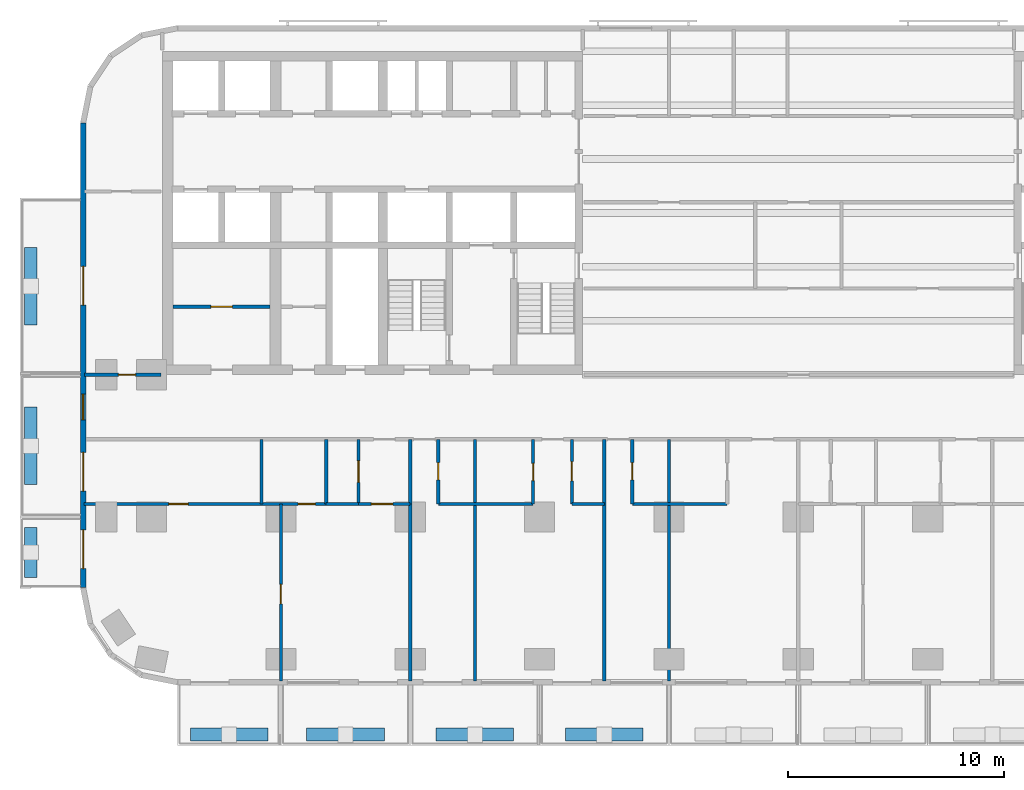
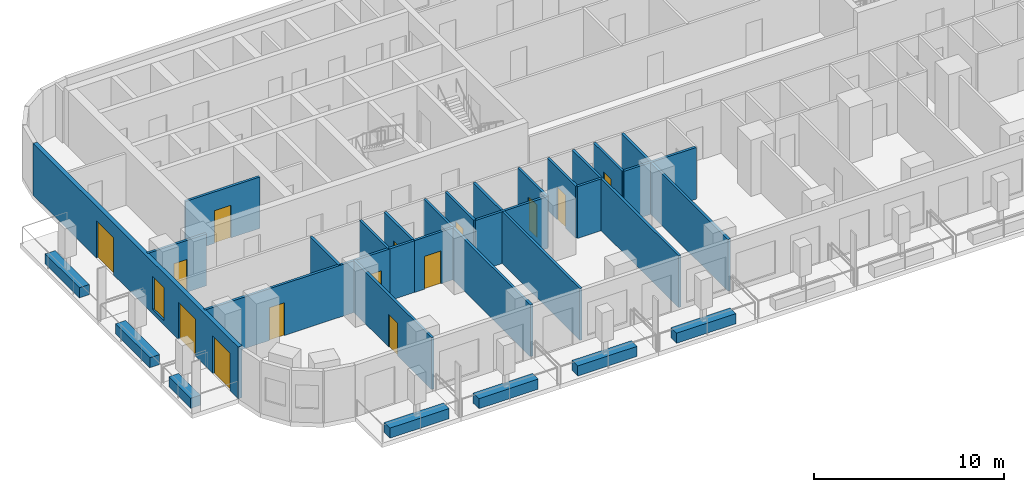
# One storey, part 2 of 15: 29 walls, 14 doors, 1 window, 15 openings.
"""IFC4 building model written with IfcOpenShell, lengths in metres."""

from ifc_helpers import new_model, si_unit, direction, frame, frame_2d, origin, place, context, subcontext, project, spatial, rectangle, extrude, material, layer, layer_set, type_object, element, fill, save


model = new_model("IFC4")

# Units and contexts
model_context = context("Model", 3, precision=1e-05, world=origin(), true_north=direction((0.0, 1.0)))
body_context = subcontext(model_context, "Body", "Model", "MODEL_VIEW")
ifc_project = project(units=[si_unit("LENGTHUNIT", "METRE"), si_unit("AREAUNIT", "SQUARE_METRE"), si_unit("VOLUMEUNIT", "CUBIC_METRE"), si_unit("PLANEANGLEUNIT", "RADIAN"), si_unit("MASSUNIT", "GRAM", prefix="KILO")], contexts=[model_context])

# Site, building, storey
site_placement = place(None, origin())
site = spatial("IfcSite", under=ifc_project, at=site_placement, CompositionType="ELEMENT")
building_placement = place(site_placement, origin())
building = spatial("IfcBuilding", under=site, at=building_placement, Name="Torana Hotel and Residences", CompositionType="ELEMENT")
storey_placement = place(building_placement, frame((0.0, 0.0, 67.199951171875)))
storey = spatial("IfcBuildingStorey", under=building, at=storey_placement, Name="L16", CompositionType="ELEMENT", Elevation=67.199951171875)

# Wall, openings, doors, window
ifc_material_1 = material(Name="Black aluminium composite panel", Category="aluminium")
ifc_layer_1 = layer(ifc_material_1, 0.00390625, Name="Cladding", Category="cladding")
ifc_material_2 = material(Name="Ventilated air cavity")
ifc_layer_2 = layer(ifc_material_2, 0.0400390625, Name="Ventilated cavity", Category="cavity")
ifc_material_3 = material(Name="Mineral wool insulation")
ifc_layer_3 = layer(ifc_material_3, 0.090087890625, Name="Insulation", Category="insulation")
ifc_material_4 = material(Name="Steel S280GD", Category="steel")
ifc_layer_4 = layer(ifc_material_4, 0.092041015625, Name="Steel stud frame", Category="structure")
ifc_material_5 = material(Name="Fire rated plasterboard")
ifc_layer_5 = layer(ifc_material_5, 0.011962890625, Name="Inner board", Category="finish")
ifc_layer_6 = layer(ifc_material_5, 0.011962890625, Name="Second board", Category="finish")
ifc_layer_set_1 = layer_set([ifc_layer_1, ifc_layer_2, ifc_layer_3, ifc_layer_4, ifc_layer_5, ifc_layer_6], Name="EW1 EXTERNAL WALL BLACK METAL CLAD 250")
wall_type_1 = type_object("IfcWallType", Name="EW1 EXTERNAL WALL BLACK METAL CLAD 250", PredefinedType="SOLIDWALL", material=ifc_layer_set_1)
wall_1_placement = place(storey_placement, frame((-33.175048828125, -3.32470703125, 0.0), z_axis=(0.0, 0.0, 1.0), x_axis=(0.0, -1.0, 0.0)))
wall_1 = element("IfcWall", 1, at=wall_1_placement, inside=storey, type_object=wall_type_1, Name="External wall L16 e0.9", PredefinedType="SOLIDWALL", context=body_context, shape_type="SweptSolid", body=[
    extrude(rectangle(XDim=21.55078125, YDim=0.25, at=frame_2d((10.775390625, 0.0))), origin(), (0.0, 0.0, 1.0), 3.320068359375),
])
opening_1_placement = place(wall_1_placement, frame((6.650390625, 0.0, 0.0)))
opening_1 = element("IfcOpeningElement", 2, at=opening_1_placement, cuts=wall_1, Name="Opening L16-E14", PredefinedType="OPENING", context=body_context, shape_type="SweptSolid", body=[
    extrude(rectangle(XDim=1.800048828125, YDim=2.39990234375, at=frame_2d((0.89990234375, 1.199951171875))), frame((0.0, 0.135009765625, 0.0), z_axis=(0.0, -1.0, 0.0), x_axis=(1.0, 0.0, 0.0)), (0.0, 0.0, 1.0), 0.27001953125),
])
opening_2_placement = place(wall_1_placement, frame((12.575439453125, 0.0, 0.300048828125)))
opening_2 = element("IfcOpeningElement", 3, at=opening_2_placement, cuts=wall_1, Name="Opening W7", PredefinedType="OPENING", context=body_context, shape_type="SweptSolid", body=[
    extrude(rectangle(XDim=1.199951171875, YDim=2.10009765625, at=frame_2d((0.60009765625, 1.050048828125))), frame((0.0, 0.135009765625, 0.0), z_axis=(0.0, -1.0, 0.0), x_axis=(1.0, 0.0, 0.0)), (0.0, 0.0, 1.0), 0.27001953125),
])
opening_3_placement = place(wall_1_placement, frame((15.275390625, 0.0, 0.0)))
opening_3 = element("IfcOpeningElement", 4, at=opening_3_placement, cuts=wall_1, Name="Opening L16-E15", PredefinedType="OPENING", context=body_context, shape_type="SweptSolid", body=[
    extrude(rectangle(XDim=1.800048828125, YDim=2.39990234375, at=frame_2d((0.89990234375, 1.199951171875))), frame((0.0, 0.135009765625, 0.0), z_axis=(0.0, -1.0, 0.0), x_axis=(1.0, 0.0, 0.0)), (0.0, 0.0, 1.0), 0.27001953125),
])
opening_4_placement = place(wall_1_placement, frame((18.87548828125, 0.0, 0.0)))
opening_4 = element("IfcOpeningElement", 5, at=opening_4_placement, cuts=wall_1, Name="Opening L16-E16", PredefinedType="OPENING", context=body_context, shape_type="SweptSolid", body=[
    extrude(rectangle(XDim=1.800048828125, YDim=2.39990234375, at=frame_2d((0.89990234375, 1.199951171875))), frame((0.0, 0.135009765625, 0.0), z_axis=(0.0, -1.0, 0.0), x_axis=(1.0, 0.0, 0.0)), (0.0, 0.0, 1.0), 0.27001953125),
])
ifc_material_6 = material(Name="Dark glass in black aluminium frame", Category="aluminium")
door_type_1 = type_object("IfcDoorType", Name="DB1 BALCONY DOOR 1800x2400", OperationType="DOUBLE_DOOR_SINGLE_SWING", PredefinedType="DOOR", material=ifc_material_6)
door_1_placement = place(opening_1_placement, origin())
door_1 = element("IfcDoor", 6, at=door_1_placement, inside=storey, type_object=door_type_1, Name="Balcony door L16", OperationType="DOUBLE_DOOR_SINGLE_SWING", OverallHeight=2.39990234375, OverallWidth=1.800048828125, PredefinedType="DOOR", context=body_context, shape_type="SweptSolid", body=[
    extrude(rectangle(XDim=1.800048828125, YDim=2.39990234375, at=frame_2d((0.89990234375, 1.199951171875))), frame((0.0, 0.02490234375, 0.0), z_axis=(0.0, -1.0, 0.0), x_axis=(1.0, 0.0, 0.0)), (0.0, 0.0, 1.0), 0.050048828125),
])
fill(opening_1, door_1)
door_2_placement = place(opening_3_placement, origin())
door_2 = element("IfcDoor", 7, at=door_2_placement, inside=storey, type_object=door_type_1, Name="Balcony door L16", OperationType="DOUBLE_DOOR_SINGLE_SWING", OverallHeight=2.39990234375, OverallWidth=1.800048828125, PredefinedType="DOOR", context=body_context, shape_type="SweptSolid", body=[
    extrude(rectangle(XDim=1.800048828125, YDim=2.39990234375, at=frame_2d((0.89990234375, 1.199951171875))), frame((0.0, 0.02490234375, 0.0), z_axis=(0.0, -1.0, 0.0), x_axis=(1.0, 0.0, 0.0)), (0.0, 0.0, 1.0), 0.050048828125),
])
fill(opening_3, door_2)
door_3_placement = place(opening_4_placement, frame((0.89990234375, 0.0, 0.0), z_axis=(0.0, 0.0, 1.0), x_axis=(-1.0, 0.0, 0.0)))
door_3 = element("IfcDoor", 8, at=door_3_placement, inside=storey, type_object=door_type_1, Name="Balcony door L16", OperationType="DOUBLE_DOOR_SINGLE_SWING", OverallHeight=2.39990234375, OverallWidth=1.800048828125, PredefinedType="DOOR", context=body_context, shape_type="SweptSolid", body=[
    extrude(rectangle(XDim=1.800048828125, YDim=2.39990234375, at=frame_2d((0.0, 1.199951171875))), frame((0.0, -0.02490234375, 0.0), z_axis=(0.0, 1.0, 0.0), x_axis=(-1.0, 0.0, 0.0)), (0.0, 0.0, 1.0), 0.050048828125),
])
fill(opening_4, door_3)
ifc_material_7 = material(Name="Dark glass in black aluminium frame", Category="aluminium")
window_type = type_object("IfcWindowType", Name="W7 HOTEL CORRIDOR WINDOW 1200x2100", PartitioningType="SINGLE_PANEL", PredefinedType="WINDOW", material=ifc_material_7)
window_placement = place(opening_2_placement, origin())
window = element("IfcWindow", 9, at=window_placement, inside=storey, type_object=window_type, Name="Window L16", OverallHeight=2.10009765625, OverallWidth=1.199951171875, PartitioningType="SINGLE_PANEL", PredefinedType="WINDOW", context=body_context, shape_type="SweptSolid", body=[
    extrude(rectangle(XDim=1.199951171875, YDim=2.10009765625, at=frame_2d((0.60009765625, 1.050048828125))), frame((0.0, 0.030029296875, 0.0), z_axis=(0.0, -1.0, 0.0), x_axis=(1.0, 0.0, 0.0)), (0.0, 0.0, 1.0), 0.06005859375),
])
fill(opening_2, window)

# Wall, opening, door
ifc_material_8 = material(Name="Gypsum plaster")
ifc_layer_7 = layer(ifc_material_8, 0.014892578125, Name="Plaster", Category="finish")
ifc_material_9 = material(Name="Concrete blockwork", Category="masonry")
ifc_layer_8 = layer(ifc_material_9, 0.1201171875, Name="Blockwork", Category="structure")
ifc_layer_9 = layer(ifc_material_8, 0.014892578125, Name="Plaster", Category="finish")
ifc_layer_set_2 = layer_set([ifc_layer_7, ifc_layer_8, ifc_layer_9], Name="FIRE PARTITION 150 BLOCKWORK")
wall_type_2 = type_object("IfcWallType", Name="FIRE PARTITION 150 BLOCKWORK", PredefinedType="PARTITIONING", material=ifc_layer_set_2)
wall_2_placement = place(storey_placement, frame((-29.0, -11.85009765625, 0.0), z_axis=(0.0, 0.0, 1.0), x_axis=(1.0, 0.0, 0.0)))
wall_2 = element("IfcWall", 10, at=wall_2_placement, inside=storey, type_object=wall_type_2, Name="Core partition L16", PredefinedType="PARTITIONING", context=body_context, shape_type="SweptSolid", body=[
    extrude(rectangle(XDim=4.5, YDim=0.14990234375, at=frame_2d((2.25, 0.0))), origin(), (0.0, 0.0, 1.0), 3.300048828125),
])
opening_5_placement = place(wall_2_placement, frame((1.75, 0.0, 0.0)))
opening_5 = element("IfcOpeningElement", 11, at=opening_5_placement, cuts=wall_2, Name="Opening L16-36", PredefinedType="OPENING", context=body_context, shape_type="SweptSolid", body=[
    extrude(rectangle(XDim=1.0, YDim=2.10009765625, at=frame_2d((0.5, 1.050048828125))), frame((0.0, 0.0849609375, 0.0), z_axis=(0.0, -1.0, 0.0), x_axis=(1.0, 0.0, 0.0)), (0.0, 0.0, 1.0), 0.169921875),
])
ifc_material_10 = material(Name="Steel S235", Category="steel")
door_type_2 = type_object("IfcDoorType", Name="CORE ROOM FIRE DOOR D14 1000x2100", OperationType="SINGLE_SWING_LEFT", PredefinedType="DOOR", material=ifc_material_10)
door_4_placement = place(opening_5_placement, origin())
door_4 = element("IfcDoor", 12, at=door_4_placement, inside=storey, type_object=door_type_2, Name="Plant room door L16", OperationType="SINGLE_SWING_RIGHT", OverallHeight=2.10009765625, OverallWidth=1.0, PredefinedType="DOOR", context=body_context, shape_type="SweptSolid", body=[
    extrude(rectangle(XDim=1.0, YDim=2.10009765625, at=frame_2d((0.5, 1.050048828125))), frame((0.0, 0.02490234375, 0.0), z_axis=(0.0, -1.0, 0.0), x_axis=(1.0, 0.0, 0.0)), (0.0, 0.0, 1.0), 0.050048828125),
])
fill(opening_5, door_4)

# Wall
wall_3_placement = place(storey_placement, frame((-18.0, -21.0, 0.0), z_axis=(0.0, 0.0, 1.0), x_axis=(0.0, 1.0, 0.0)))
element("IfcWall", 13, at=wall_3_placement, inside=storey, type_object=wall_type_2, Name="Partition L16", PredefinedType="PARTITIONING", context=body_context, shape_type="SweptSolid", body=[
    extrude(rectangle(XDim=3.0, YDim=0.14990234375, at=frame_2d((1.5, 0.0))), origin(), (0.0, 0.0, 1.0), 3.320068359375),
])

# Wall, opening, door
wall_4_placement = place(storey_placement, frame((-20.39990234375, -21.0, 0.0), z_axis=(0.0, 0.0, 1.0), x_axis=(0.0, 1.0, 0.0)))
wall_4 = element("IfcWall", 14, at=wall_4_placement, inside=storey, type_object=wall_type_2, Name="Partition L16", PredefinedType="PARTITIONING", context=body_context, shape_type="SweptSolid", body=[
    extrude(rectangle(XDim=3.0, YDim=0.14990234375, at=frame_2d((1.5, 0.0))), origin(), (0.0, 0.0, 1.0), 3.320068359375),
])
opening_6_placement = place(wall_4_placement, frame((1.0, 0.0, 0.0)))
opening_6 = element("IfcOpeningElement", 15, at=opening_6_placement, cuts=wall_4, Name="Opening L16-76", PredefinedType="OPENING", context=body_context, shape_type="SweptSolid", body=[
    extrude(rectangle(XDim=1.0, YDim=2.10009765625, at=frame_2d((0.5, 1.050048828125))), frame((0.0, 0.0849609375, 0.0), z_axis=(0.0, -1.0, 0.0), x_axis=(1.0, 0.0, 0.0)), (0.0, 0.0, 1.0), 0.169921875),
])
ifc_material_11 = material(Name="Steel S235", Category="steel")
door_type_3 = type_object("IfcDoorType", Name="ENTRY FIRE DOOR D6 1000x2100", OperationType="SINGLE_SWING_LEFT", PredefinedType="DOOR", material=ifc_material_11)
door_5_placement = place(opening_6_placement, origin())
door_5 = element("IfcDoor", 16, at=door_5_placement, inside=storey, type_object=door_type_3, Name="Door L16", OperationType="SINGLE_SWING_RIGHT", OverallHeight=2.10009765625, OverallWidth=1.0, PredefinedType="DOOR", context=body_context, shape_type="SweptSolid", body=[
    extrude(rectangle(XDim=1.0, YDim=2.10009765625, at=frame_2d((0.5, 1.050048828125))), frame((0.0, 0.02490234375, 0.0), z_axis=(0.0, -1.0, 0.0), x_axis=(1.0, 0.0, 0.0)), (0.0, 0.0, 1.0), 0.050048828125),
])
fill(opening_6, door_5)

wall_5_placement = place(storey_placement, frame((-20.39990234375, -21.0, 0.0), z_axis=(0.0, 0.0, 1.0), x_axis=(1.0, 0.0, 0.0)))
wall_5 = element("IfcWall", 17, at=wall_5_placement, inside=storey, type_object=wall_type_2, Name="Partition L16", PredefinedType="PARTITIONING", context=body_context, shape_type="SweptSolid", body=[
    extrude(rectangle(XDim=2.39990234375, YDim=0.14990234375, at=frame_2d((1.199951171875, 0.0))), origin(), (0.0, 0.0, 1.0), 3.320068359375),
])
opening_7_placement = place(wall_5_placement, frame((0.60009765625, 0.0, 0.0)))
opening_7 = element("IfcOpeningElement", 18, at=opening_7_placement, cuts=wall_5, Name="Opening L16-77", PredefinedType="OPENING", context=body_context, shape_type="SweptSolid", body=[
    extrude(rectangle(XDim=1.0, YDim=2.10009765625, at=frame_2d((0.5, 1.050048828125))), frame((0.0, 0.0849609375, 0.0), z_axis=(0.0, -1.0, 0.0), x_axis=(1.0, 0.0, 0.0)), (0.0, 0.0, 1.0), 0.169921875),
])
door_6_placement = place(opening_7_placement, frame((0.5, 0.0, 0.0), z_axis=(0.0, 0.0, 1.0), x_axis=(-1.0, 0.0, 0.0)))
door_6 = element("IfcDoor", 19, at=door_6_placement, inside=storey, type_object=door_type_3, Name="Door L16", OperationType="SINGLE_SWING_RIGHT", OverallHeight=2.10009765625, OverallWidth=1.0, PredefinedType="DOOR", context=body_context, shape_type="SweptSolid", body=[
    extrude(rectangle(XDim=1.0, YDim=2.10009765625, at=frame_2d((0.0, 1.050048828125))), frame((0.0, -0.02490234375, 0.0), z_axis=(0.0, 1.0, 0.0), x_axis=(-1.0, 0.0, 0.0)), (0.0, 0.0, 1.0), 0.050048828125),
])
fill(opening_7, door_6)

wall_6_placement = place(storey_placement, frame((-33.1201171875, -15.0, 0.0), z_axis=(0.0, 0.0, 1.0), x_axis=(1.0, 0.0, 0.0)))
wall_6 = element("IfcWall", 20, at=wall_6_placement, inside=storey, type_object=wall_type_2, Name="Partition L16", PredefinedType="PARTITIONING", context=body_context, shape_type="SweptSolid", body=[
    extrude(rectangle(XDim=3.570068359375, YDim=0.14990234375, at=frame_2d((1.78515625, 0.0))), origin(), (0.0, 0.0, 1.0), 3.320068359375),
])
opening_8_placement = place(wall_6_placement, frame((1.580078125, 0.0, 0.0)))
opening_8 = element("IfcOpeningElement", 21, at=opening_8_placement, cuts=wall_6, Name="Opening L16-51", PredefinedType="OPENING", context=body_context, shape_type="SweptSolid", body=[
    extrude(rectangle(XDim=0.800048828125, YDim=2.10009765625, at=frame_2d((0.39990234375, 1.050048828125))), frame((0.0, 0.0849609375, 0.0), z_axis=(0.0, -1.0, 0.0), x_axis=(1.0, 0.0, 0.0)), (0.0, 0.0, 1.0), 0.169921875),
])
ifc_material_12 = material(Name="Steel S235", Category="steel")
door_type_4 = type_object("IfcDoorType", Name="STORE FIRE DOOR D16 800x2100", OperationType="SINGLE_SWING_LEFT", PredefinedType="DOOR", material=ifc_material_12)
door_7_placement = place(opening_8_placement, origin())
door_7 = element("IfcDoor", 22, at=door_7_placement, inside=storey, type_object=door_type_4, Name="Door L16", OperationType="SINGLE_SWING_RIGHT", OverallHeight=2.10009765625, OverallWidth=0.800048828125, PredefinedType="DOOR", context=body_context, shape_type="SweptSolid", body=[
    extrude(rectangle(XDim=0.800048828125, YDim=2.10009765625, at=frame_2d((0.39990234375, 1.050048828125))), frame((0.0, 0.02490234375, 0.0), z_axis=(0.0, -1.0, 0.0), x_axis=(1.0, 0.0, 0.0)), (0.0, 0.0, 1.0), 0.050048828125),
])
fill(opening_8, door_7)

# Wall
ifc_material_13 = material(Name="Gypsum plasterboard")
ifc_layer_10 = layer(ifc_material_13, 0.012451171875, Name="Plasterboard", Category="finish")
ifc_layer_11 = layer(ifc_material_13, 0.012451171875, Name="Plasterboard", Category="finish")
ifc_layer_12 = layer(ifc_material_4, 0.10009765625, Name="Steel studs with mineral wool", Category="insulation")
ifc_layer_13 = layer(ifc_material_13, 0.012451171875, Name="Plasterboard", Category="finish")
ifc_layer_14 = layer(ifc_material_13, 0.012451171875, Name="Plasterboard", Category="finish")
ifc_layer_set_3 = layer_set([ifc_layer_10, ifc_layer_11, ifc_layer_12, ifc_layer_13, ifc_layer_14], Name="PARTITION 150 PLASTERBOARD")
wall_type_3 = type_object("IfcWallType", Name="PARTITION 150 PLASTERBOARD", PredefinedType="PARTITIONING", material=ifc_layer_set_3)
wall_7_placement = place(storey_placement, frame((-6.0, -29.219970703125, 0.0), z_axis=(0.0, 0.0, 1.0), x_axis=(0.0, 1.0, 0.0)))
element("IfcWall", 23, at=wall_7_placement, inside=storey, type_object=wall_type_3, Name="Partition L16", PredefinedType="PARTITIONING", context=body_context, shape_type="SweptSolid", body=[
    extrude(rectangle(XDim=11.219970703125, YDim=0.14990234375, at=frame_2d((5.60986328125, 0.0))), origin(), (0.0, 0.0, 1.0), 3.320068359375),
])

# Wall, opening, door
wall_8_placement = place(storey_placement, frame((-7.699951171875, -21.0, 0.0), z_axis=(0.0, 0.0, 1.0), x_axis=(0.0, 1.0, 0.0)))
wall_8 = element("IfcWall", 24, at=wall_8_placement, inside=storey, type_object=wall_type_3, Name="Partition L16", PredefinedType="PARTITIONING", context=body_context, shape_type="SweptSolid", body=[
    extrude(rectangle(XDim=3.0, YDim=0.14990234375, at=frame_2d((1.5, 0.0))), origin(), (0.0, 0.0, 1.0), 3.320068359375),
])
opening_9_placement = place(wall_8_placement, frame((1.1201171875, 0.0, 0.0)))
opening_9 = element("IfcOpeningElement", 25, at=opening_9_placement, cuts=wall_8, Name="Opening L16-64", PredefinedType="OPENING", context=body_context, shape_type="SweptSolid", body=[
    extrude(rectangle(XDim=0.800048828125, YDim=2.10009765625, at=frame_2d((0.39990234375, 1.050048828125))), frame((0.0, 0.0849609375, 0.0), z_axis=(0.0, -1.0, 0.0), x_axis=(1.0, 0.0, 0.0)), (0.0, 0.0, 1.0), 0.169921875),
])
ifc_material_14 = material(Name="Timber door, painted", Category="wood")
door_type_5 = type_object("IfcDoorType", Name="BATH DOOR D13 800x2100", OperationType="SINGLE_SWING_LEFT", PredefinedType="DOOR", material=ifc_material_14)
door_8_placement = place(opening_9_placement, origin())
door_8 = element("IfcDoor", 26, at=door_8_placement, inside=storey, type_object=door_type_5, Name="Door L16", OperationType="SINGLE_SWING_LEFT", OverallHeight=2.10009765625, OverallWidth=0.800048828125, PredefinedType="DOOR", context=body_context, shape_type="SweptSolid", body=[
    extrude(rectangle(XDim=0.800048828125, YDim=2.10009765625, at=frame_2d((0.39990234375, 1.050048828125))), frame((0.0, 0.02490234375, 0.0), z_axis=(0.0, -1.0, 0.0), x_axis=(1.0, 0.0, 0.0)), (0.0, 0.0, 1.0), 0.050048828125),
])
fill(opening_9, door_8)

# Wall
wall_9_placement = place(storey_placement, frame((-9.0, -29.219970703125, 0.0), z_axis=(0.0, 0.0, 1.0), x_axis=(0.0, 1.0, 0.0)))
element("IfcWall", 27, at=wall_9_placement, inside=storey, type_object=wall_type_3, Name="Partition L16", PredefinedType="PARTITIONING", context=body_context, shape_type="SweptSolid", body=[
    extrude(rectangle(XDim=11.219970703125, YDim=0.14990234375, at=frame_2d((5.60986328125, 0.0))), origin(), (0.0, 0.0, 1.0), 3.320068359375),
])

# Wall, opening, door
wall_10_placement = place(storey_placement, frame((-10.5, -21.0, 0.0), z_axis=(0.0, 0.0, 1.0), x_axis=(0.0, 1.0, 0.0)))
wall_10 = element("IfcWall", 28, at=wall_10_placement, inside=storey, type_object=wall_type_3, Name="Partition L16", PredefinedType="PARTITIONING", context=body_context, shape_type="SweptSolid", body=[
    extrude(rectangle(XDim=3.0, YDim=0.14990234375, at=frame_2d((1.5, 0.0))), origin(), (0.0, 0.0, 1.0), 3.320068359375),
])
opening_10_placement = place(wall_10_placement, frame((1.070068359375, 0.0, 0.0)))
opening_10 = element("IfcOpeningElement", 29, at=opening_10_placement, cuts=wall_10, Name="Opening L16-63", PredefinedType="OPENING", context=body_context, shape_type="SweptSolid", body=[
    extrude(rectangle(XDim=0.89990234375, YDim=2.10009765625, at=frame_2d((0.449951171875, 1.050048828125))), frame((0.0, 0.0849609375, 0.0), z_axis=(0.0, -1.0, 0.0), x_axis=(1.0, 0.0, 0.0)), (0.0, 0.0, 1.0), 0.169921875),
])
ifc_material_15 = material(Name="Timber door, oiled ash", Category="wood")
door_type_6 = type_object("IfcDoorType", Name="ROOM DOOR D7 900x2100", OperationType="SINGLE_SWING_LEFT", PredefinedType="DOOR", material=ifc_material_15)
door_9_placement = place(opening_10_placement, origin())
door_9 = element("IfcDoor", 30, at=door_9_placement, inside=storey, type_object=door_type_6, Name="Door L16", OperationType="SINGLE_SWING_LEFT", OverallHeight=2.10009765625, OverallWidth=0.89990234375, PredefinedType="DOOR", context=body_context, shape_type="SweptSolid", body=[
    extrude(rectangle(XDim=0.89990234375, YDim=2.10009765625, at=frame_2d((0.449951171875, 1.050048828125))), frame((0.0, 0.02490234375, 0.0), z_axis=(0.0, -1.0, 0.0), x_axis=(1.0, 0.0, 0.0)), (0.0, 0.0, 1.0), 0.050048828125),
])
fill(opening_10, door_9)

wall_11_placement = place(storey_placement, frame((-12.300048828125, -21.0, 0.0), z_axis=(0.0, 0.0, 1.0), x_axis=(0.0, 1.0, 0.0)))
wall_11 = element("IfcWall", 31, at=wall_11_placement, inside=storey, type_object=wall_type_3, Name="Partition L16", PredefinedType="PARTITIONING", context=body_context, shape_type="SweptSolid", body=[
    extrude(rectangle(XDim=3.0, YDim=0.14990234375, at=frame_2d((1.5, 0.0))), origin(), (0.0, 0.0, 1.0), 3.320068359375),
])
opening_11_placement = place(wall_11_placement, frame((1.080078125, 0.0, 0.0)))
opening_11 = element("IfcOpeningElement", 32, at=opening_11_placement, cuts=wall_11, Name="Opening L16-62", PredefinedType="OPENING", context=body_context, shape_type="SweptSolid", body=[
    extrude(rectangle(XDim=0.800048828125, YDim=2.10009765625, at=frame_2d((0.39990234375, 1.050048828125))), frame((0.0, 0.0849609375, 0.0), z_axis=(0.0, -1.0, 0.0), x_axis=(1.0, 0.0, 0.0)), (0.0, 0.0, 1.0), 0.169921875),
])
door_10_placement = place(opening_11_placement, origin())
door_10 = element("IfcDoor", 33, at=door_10_placement, inside=storey, type_object=door_type_5, Name="Door L16", OperationType="SINGLE_SWING_RIGHT", OverallHeight=2.10009765625, OverallWidth=0.800048828125, PredefinedType="DOOR", context=body_context, shape_type="SweptSolid", body=[
    extrude(rectangle(XDim=0.800048828125, YDim=2.10009765625, at=frame_2d((0.39990234375, 1.050048828125))), frame((0.0, 0.02490234375, 0.0), z_axis=(0.0, -1.0, 0.0), x_axis=(1.0, 0.0, 0.0)), (0.0, 0.0, 1.0), 0.050048828125),
])
fill(opening_11, door_10)

# Wall
wall_12_placement = place(storey_placement, frame((-15.0, -29.219970703125, 0.0), z_axis=(0.0, 0.0, 1.0), x_axis=(0.0, 1.0, 0.0)))
element("IfcWall", 34, at=wall_12_placement, inside=storey, type_object=wall_type_3, Name="Partition L16", PredefinedType="PARTITIONING", context=body_context, shape_type="SweptSolid", body=[
    extrude(rectangle(XDim=11.219970703125, YDim=0.14990234375, at=frame_2d((5.60986328125, 0.0))), origin(), (0.0, 0.0, 1.0), 3.320068359375),
])

# Wall, opening, door
wall_13_placement = place(storey_placement, frame((-16.699951171875, -21.0, 0.0), z_axis=(0.0, 0.0, 1.0), x_axis=(0.0, 1.0, 0.0)))
wall_13 = element("IfcWall", 35, at=wall_13_placement, inside=storey, type_object=wall_type_3, Name="Partition L16", PredefinedType="PARTITIONING", context=body_context, shape_type="SweptSolid", body=[
    extrude(rectangle(XDim=3.0, YDim=0.14990234375, at=frame_2d((1.5, 0.0))), origin(), (0.0, 0.0, 1.0), 3.320068359375),
])
opening_12_placement = place(wall_13_placement, frame((1.1201171875, 0.0, 0.0)))
opening_12 = element("IfcOpeningElement", 36, at=opening_12_placement, cuts=wall_13, Name="Opening L16-61", PredefinedType="OPENING", context=body_context, shape_type="SweptSolid", body=[
    extrude(rectangle(XDim=0.800048828125, YDim=2.10009765625, at=frame_2d((0.39990234375, 1.050048828125))), frame((0.0, 0.0849609375, 0.0), z_axis=(0.0, -1.0, 0.0), x_axis=(1.0, 0.0, 0.0)), (0.0, 0.0, 1.0), 0.169921875),
])
door_11_placement = place(opening_12_placement, origin())
door_11 = element("IfcDoor", 37, at=door_11_placement, inside=storey, type_object=door_type_5, Name="Door L16", OperationType="SINGLE_SWING_RIGHT", OverallHeight=2.10009765625, OverallWidth=0.800048828125, PredefinedType="DOOR", context=body_context, shape_type="SweptSolid", body=[
    extrude(rectangle(XDim=0.800048828125, YDim=2.10009765625, at=frame_2d((0.39990234375, 1.050048828125))), frame((0.0, 0.02490234375, 0.0), z_axis=(0.0, -1.0, 0.0), x_axis=(1.0, 0.0, 0.0)), (0.0, 0.0, 1.0), 0.050048828125),
])
fill(opening_12, door_11)

# Wall
wall_14_placement = place(storey_placement, frame((-18.0, -29.219970703125, 0.0), z_axis=(0.0, 0.0, 1.0), x_axis=(0.0, 1.0, 0.0)))
element("IfcWall", 38, at=wall_14_placement, inside=storey, type_object=wall_type_3, Name="Partition L16", PredefinedType="PARTITIONING", context=body_context, shape_type="SweptSolid", body=[
    extrude(rectangle(XDim=8.219970703125, YDim=0.14990234375, at=frame_2d((4.10986328125, 0.0))), origin(), (0.0, 0.0, 1.0), 3.320068359375),
])

# Wall, opening, door
wall_15_placement = place(storey_placement, frame((-24.0, -29.219970703125, 0.0), z_axis=(0.0, 0.0, 1.0), x_axis=(0.0, 1.0, 0.0)))
wall_15 = element("IfcWall", 39, at=wall_15_placement, inside=storey, type_object=wall_type_3, Name="Partition L16", PredefinedType="PARTITIONING", context=body_context, shape_type="SweptSolid", body=[
    extrude(rectangle(XDim=8.219970703125, YDim=0.14990234375, at=frame_2d((4.10986328125, 0.0))), origin(), (0.0, 0.0, 1.0), 3.320068359375),
])
opening_13_placement = place(wall_15_placement, frame((3.590087890625, 0.0, 0.0)))
opening_13 = element("IfcOpeningElement", 40, at=opening_13_placement, cuts=wall_15, Name="Opening L16-80", PredefinedType="OPENING", context=body_context, shape_type="SweptSolid", body=[
    extrude(rectangle(XDim=0.89990234375, YDim=2.10009765625, at=frame_2d((0.449951171875, 1.050048828125))), frame((0.0, 0.0849609375, 0.0), z_axis=(0.0, -1.0, 0.0), x_axis=(1.0, 0.0, 0.0)), (0.0, 0.0, 1.0), 0.169921875),
])
door_12_placement = place(opening_13_placement, origin())
door_12 = element("IfcDoor", 41, at=door_12_placement, inside=storey, type_object=door_type_6, Name="Door L16", OperationType="SINGLE_SWING_RIGHT", OverallHeight=2.10009765625, OverallWidth=0.89990234375, PredefinedType="DOOR", context=body_context, shape_type="SweptSolid", body=[
    extrude(rectangle(XDim=0.89990234375, YDim=2.10009765625, at=frame_2d((0.449951171875, 1.050048828125))), frame((0.0, 0.02490234375, 0.0), z_axis=(0.0, -1.0, 0.0), x_axis=(1.0, 0.0, 0.0)), (0.0, 0.0, 1.0), 0.050048828125),
])
fill(opening_13, door_12)

# Wall
wall_16_placement = place(storey_placement, frame((-24.89990234375, -21.0, 0.0), z_axis=(0.0, 0.0, 1.0), x_axis=(0.0, 1.0, 0.0)))
element("IfcWall", 42, at=wall_16_placement, inside=storey, type_object=wall_type_3, Name="Partition L16", PredefinedType="PARTITIONING", context=body_context, shape_type="SweptSolid", body=[
    extrude(rectangle(XDim=3.0, YDim=0.14990234375, at=frame_2d((1.5, 0.0))), origin(), (0.0, 0.0, 1.0), 3.320068359375),
])

# Wall, openings, doors
wall_17_placement = place(storey_placement, frame((-33.1201171875, -21.0, 0.0), z_axis=(0.0, 0.0, 1.0), x_axis=(1.0, 0.0, 0.0)))
wall_17 = element("IfcWall", 43, at=wall_17_placement, inside=storey, type_object=wall_type_3, Name="Partition L16", PredefinedType="PARTITIONING", context=body_context, shape_type="SweptSolid", body=[
    extrude(rectangle(XDim=11.22021484375, YDim=0.14990234375, at=frame_2d((5.610107421875, 0.0))), origin(), (0.0, 0.0, 1.0), 3.320068359375),
])
opening_14_placement = place(wall_17_placement, frame((9.919921875, 0.0, 0.0)))
opening_14 = element("IfcOpeningElement", 44, at=opening_14_placement, cuts=wall_17, Name="Opening L16-78", PredefinedType="OPENING", context=body_context, shape_type="SweptSolid", body=[
    extrude(rectangle(XDim=0.800048828125, YDim=2.10009765625, at=frame_2d((0.39990234375, 1.050048828125))), frame((0.0, 0.0849609375, 0.0), z_axis=(0.0, -1.0, 0.0), x_axis=(1.0, 0.0, 0.0)), (0.0, 0.0, 1.0), 0.169921875),
])
opening_15_placement = place(wall_17_placement, frame((3.919921875, 0.0, 0.0)))
opening_15 = element("IfcOpeningElement", 45, at=opening_15_placement, cuts=wall_17, Name="Opening L16-79", PredefinedType="OPENING", context=body_context, shape_type="SweptSolid", body=[
    extrude(rectangle(XDim=0.89990234375, YDim=2.10009765625, at=frame_2d((0.449951171875, 1.050048828125))), frame((0.0, 0.0849609375, 0.0), z_axis=(0.0, -1.0, 0.0), x_axis=(1.0, 0.0, 0.0)), (0.0, 0.0, 1.0), 0.169921875),
])
door_13_placement = place(opening_14_placement, origin())
door_13 = element("IfcDoor", 46, at=door_13_placement, inside=storey, type_object=door_type_5, Name="Door L16", OperationType="SINGLE_SWING_LEFT", OverallHeight=2.10009765625, OverallWidth=0.800048828125, PredefinedType="DOOR", context=body_context, shape_type="SweptSolid", body=[
    extrude(rectangle(XDim=0.800048828125, YDim=2.10009765625, at=frame_2d((0.39990234375, 1.050048828125))), frame((0.0, 0.02490234375, 0.0), z_axis=(0.0, -1.0, 0.0), x_axis=(1.0, 0.0, 0.0)), (0.0, 0.0, 1.0), 0.050048828125),
])
fill(opening_14, door_13)
door_14_placement = place(opening_15_placement, origin())
door_14 = element("IfcDoor", 47, at=door_14_placement, inside=storey, type_object=door_type_6, Name="Door L16", OperationType="SINGLE_SWING_RIGHT", OverallHeight=2.10009765625, OverallWidth=0.89990234375, PredefinedType="DOOR", context=body_context, shape_type="SweptSolid", body=[
    extrude(rectangle(XDim=0.89990234375, YDim=2.10009765625, at=frame_2d((0.449951171875, 1.050048828125))), frame((0.0, 0.02490234375, 0.0), z_axis=(0.0, -1.0, 0.0), x_axis=(1.0, 0.0, 0.0)), (0.0, 0.0, 1.0), 0.050048828125),
])
fill(opening_15, door_14)

# Walls
wall_18_placement = place(storey_placement, frame((-16.699951171875, -21.0, 0.0), z_axis=(0.0, 0.0, 1.0), x_axis=(1.0, 0.0, 0.0)))
element("IfcWall", 48, at=wall_18_placement, inside=storey, type_object=wall_type_3, Name="Partition L16", PredefinedType="PARTITIONING", context=body_context, shape_type="SweptSolid", body=[
    extrude(rectangle(XDim=4.39990234375, YDim=0.14990234375, at=frame_2d((2.199951171875, 0.0))), origin(), (0.0, 0.0, 1.0), 3.320068359375),
])
wall_19_placement = place(storey_placement, frame((-10.5, -21.0, 0.0), z_axis=(0.0, 0.0, 1.0), x_axis=(1.0, 0.0, 0.0)))
element("IfcWall", 49, at=wall_19_placement, inside=storey, type_object=wall_type_3, Name="Partition L16", PredefinedType="PARTITIONING", context=body_context, shape_type="SweptSolid", body=[
    extrude(rectangle(XDim=1.5, YDim=0.14990234375, at=frame_2d((0.75, 0.0))), origin(), (0.0, 0.0, 1.0), 3.320068359375),
])
wall_20_placement = place(storey_placement, frame((-7.699951171875, -21.0, 0.0), z_axis=(0.0, 0.0, 1.0), x_axis=(1.0, 0.0, 0.0)))
element("IfcWall", 50, at=wall_20_placement, inside=storey, type_object=wall_type_3, Name="Partition L16", PredefinedType="PARTITIONING", context=body_context, shape_type="SweptSolid", body=[
    extrude(rectangle(XDim=4.39990234375, YDim=0.14990234375, at=frame_2d((2.199951171875, 0.0))), origin(), (0.0, 0.0, 1.0), 3.320068359375),
])
ifc_material_16 = material(Name="Concrete C40/50 precast", Category="concrete")
ifc_layer_15 = layer(ifc_material_16, 0.10009765625, Name="Planter shell", Category="structure")
ifc_material_17 = material(Name="Root resistant membrane")
ifc_layer_16 = layer(ifc_material_17, 0.00390625, Name="Waterproofing membrane", Category="membrane")
ifc_material_18 = material(Name="Drainage board with filter fleece")
ifc_layer_17 = layer(ifc_material_18, 0.02001953125, Name="Drainage board", Category="drainage")
ifc_material_19 = material(Name="Growing medium")
ifc_layer_18 = layer(ifc_material_19, 0.47607421875, Name="Planting substrate", Category="soil")
ifc_layer_set_4 = layer_set([ifc_layer_15, ifc_layer_16, ifc_layer_17, ifc_layer_18], Name="PL1 BALCONY PLANTER 600")
wall_type_4 = type_object("IfcWallType", Name="PL1 BALCONY PLANTER 600", PredefinedType="USERDEFINED", material=ifc_layer_set_4)
wall_21_placement = place(storey_placement, frame((-24.60009765625, -31.699951171875, 0.0), z_axis=(0.0, 0.0, 1.0), x_axis=(-1.0, 0.0, 0.0)))
element("IfcWall", 51, at=wall_21_placement, inside=storey, type_object=wall_type_4, Name="Planter 01", ObjectType="PLANTER", PredefinedType="USERDEFINED", context=body_context, shape_type="SweptSolid", body=[
    extrude(rectangle(XDim=3.599853515625, YDim=0.60009765625, at=frame_2d((1.7998046875, 0.0))), origin(), (0.0, 0.0, 1.0), 0.650146484375),
])
for number, where, z_axis, x_axis, name in (
    (52, (-19.199951171875, -31.699951171875, 0.0), (0.0, 0.0, 1.0), (-1.0, 0.0, 0.0), "Planter 02"),
    (53, (-13.199951171875, -31.699951171875, 0.0), (0.0, 0.0, 1.0), (-1.0, 0.0, 0.0), "Planter 03"),
    (54, (-7.199951171875, -31.699951171875, 0.0), (0.0, 0.0, 1.0), (-1.0, 0.0, 0.0), "Planter 04"),
):
    element("IfcWall", number, at=place(storey_placement, frame(where, z_axis=z_axis, x_axis=x_axis)), inside=storey, type_object=wall_type_4, Name=name, ObjectType="PLANTER", PredefinedType="USERDEFINED", context=body_context, shape_type="SweptSolid", body=[
        extrude(rectangle(XDim=3.60009765625, YDim=0.60009765625, at=frame_2d((1.800048828125, 0.0))), origin(), (0.0, 0.0, 1.0), 0.650146484375),
    ])
wall_22_placement = place(storey_placement, frame((-35.60009765625, -24.39990234375, 0.0), z_axis=(0.0, 0.0, 1.0), x_axis=(0.0, 1.0, 0.0)))
element("IfcWall", 55, at=wall_22_placement, inside=storey, type_object=wall_type_4, Name="Planter 11", ObjectType="PLANTER", PredefinedType="USERDEFINED", context=body_context, shape_type="SweptSolid", body=[
    extrude(rectangle(XDim=2.2998046875, YDim=0.60009765625, at=frame_2d((1.14990234375, 0.0))), origin(), (0.0, 0.0, 1.0), 0.650146484375),
])
wall_23_placement = place(storey_placement, frame((-35.60009765625, -20.10009765625, 0.0), z_axis=(0.0, 0.0, 1.0), x_axis=(0.0, 1.0, 0.0)))
element("IfcWall", 56, at=wall_23_placement, inside=storey, type_object=wall_type_4, Name="Planter 12", ObjectType="PLANTER", PredefinedType="USERDEFINED", context=body_context, shape_type="SweptSolid", body=[
    extrude(rectangle(XDim=3.60009765625, YDim=0.60009765625, at=frame_2d((1.800048828125, 0.0))), origin(), (0.0, 0.0, 1.0), 0.650146484375),
])
wall_24_placement = place(storey_placement, frame((-35.60009765625, -12.699951171875, 0.0), z_axis=(0.0, 0.0, 1.0), x_axis=(0.0, 1.0, 0.0)))
element("IfcWall", 57, at=wall_24_placement, inside=storey, type_object=wall_type_4, Name="Planter 13", ObjectType="PLANTER", PredefinedType="USERDEFINED", context=body_context, shape_type="SweptSolid", body=[
    extrude(rectangle(XDim=3.599853515625, YDim=0.60009765625, at=frame_2d((1.7998046875, 0.0))), origin(), (0.0, 0.0, 1.0), 0.650146484375),
])
ifc_material_20 = material(Name="Ceramic tile on adhesive")
ifc_layer_19 = layer(ifc_material_20, 0.010009765625, Name="Wall tile", Category="finish")
ifc_material_21 = material(Name="Cement render")
ifc_layer_20 = layer(ifc_material_21, 0.010009765625, Name="Render", Category="finish")
ifc_layer_21 = layer(ifc_material_9, 0.110107421875, Name="Blockwork", Category="structure")
ifc_layer_22 = layer(ifc_material_21, 0.010009765625, Name="Render", Category="finish")
ifc_layer_23 = layer(ifc_material_20, 0.010009765625, Name="Wall tile", Category="finish")
ifc_layer_set_5 = layer_set([ifc_layer_19, ifc_layer_20, ifc_layer_21, ifc_layer_22, ifc_layer_23], Name="WC PARTITION 150")
wall_type_5 = type_object("IfcWallType", Name="WC PARTITION 150", PredefinedType="PLUMBINGWALL", material=ifc_layer_set_5)
wall_25_placement = place(storey_placement, frame((-21.89990234375, -21.0, 0.0), z_axis=(0.0, 0.0, 1.0), x_axis=(0.0, 1.0, 0.0)))
element("IfcWall", 58, at=wall_25_placement, inside=storey, type_object=wall_type_5, Name="Partition L16", PredefinedType="PLUMBINGWALL", context=body_context, shape_type="SweptSolid", body=[
    extrude(rectangle(XDim=3.0, YDim=0.14990234375, at=frame_2d((1.5, 0.0))), origin(), (0.0, 0.0, 1.0), 3.320068359375),
])
wall_26_placement = place(storey_placement, frame((-21.89990234375, -21.0, 0.0), z_axis=(0.0, 0.0, 1.0), x_axis=(1.0, 0.0, 0.0)))
element("IfcWall", 59, at=wall_26_placement, inside=storey, type_object=wall_type_5, Name="Partition L16", PredefinedType="PLUMBINGWALL", context=body_context, shape_type="SweptSolid", body=[
    extrude(rectangle(XDim=1.5, YDim=0.14990234375, at=frame_2d((0.75, 0.0))), origin(), (0.0, 0.0, 1.0), 3.320068359375),
])

save(model, "model.ifc")
